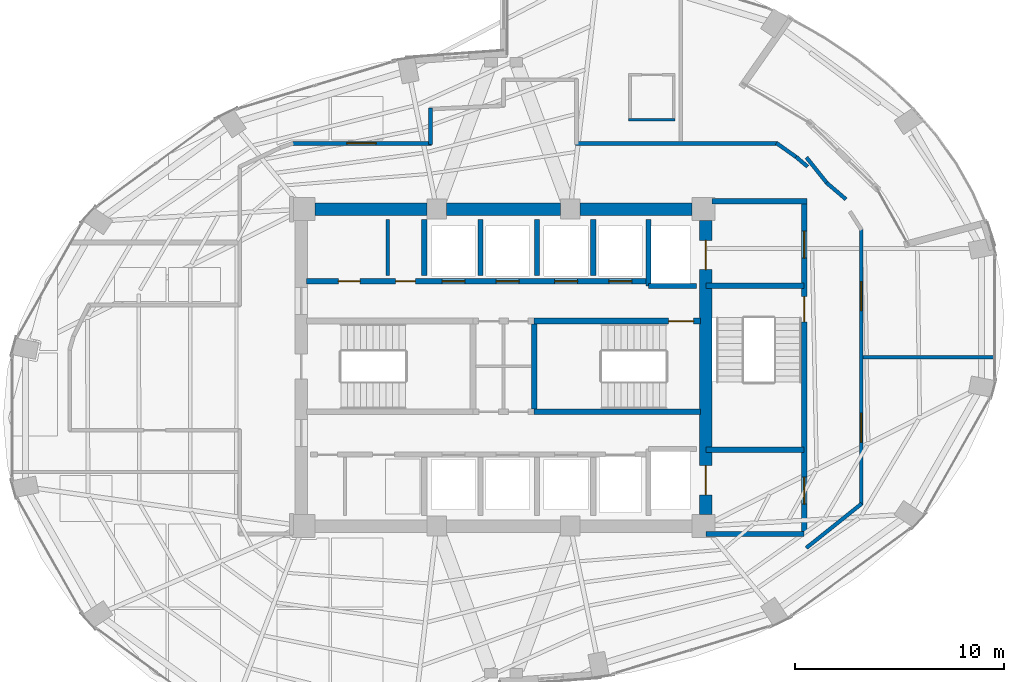
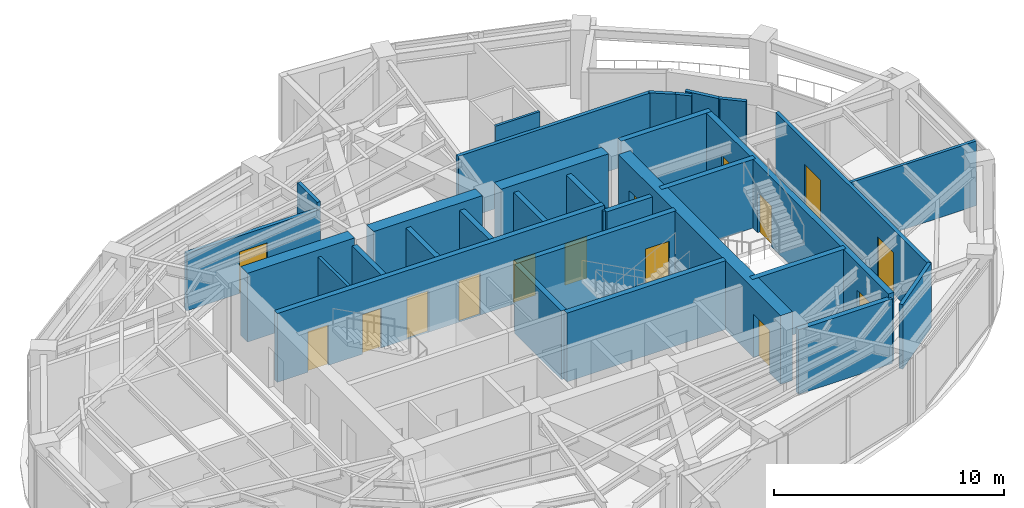
# One storey, part 16 of 19: 31 walls, 15 doors, 15 openings.
"""IFC4 building model written with IfcOpenShell, lengths in metres."""

from ifc_helpers import new_model, si_unit, direction, frame, frame_2d, origin, place, context, subcontext, project, spatial, rectangle, extrude, material, layer, layer_set, type_object, element, fill, save


model = new_model("IFC4")

# Units and contexts
model_context = context("Model", 3, precision=1e-05, world=origin(), true_north=direction((0.0, 1.0)))
body_context = subcontext(model_context, "Body", "Model", "MODEL_VIEW")
ifc_project = project(units=[si_unit("LENGTHUNIT", "METRE"), si_unit("AREAUNIT", "SQUARE_METRE"), si_unit("VOLUMEUNIT", "CUBIC_METRE"), si_unit("PLANEANGLEUNIT", "RADIAN"), si_unit("MASSUNIT", "GRAM", prefix="KILO")], contexts=[model_context])

# Site, building, storey
site_placement = place(None, origin())
site = spatial("IfcSite", under=ifc_project, at=site_placement, CompositionType="ELEMENT")
building_placement = place(site_placement, origin())
building = spatial("IfcBuilding", under=site, at=building_placement, Name="Lazwardi Medical Tower", CompositionType="ELEMENT")
storey_placement = place(building_placement, frame((0.0, 0.0, 163.823974609375)))
storey = spatial("IfcBuildingStorey", under=building, at=storey_placement, Name="L42", CompositionType="ELEMENT", Elevation=163.823974609375)

# Wall, opening, door
ifc_material_1 = material(Name="Fire-rated gypsum board on steel stud", Category="steel")
ifc_layer_1 = layer(ifc_material_1, 0.179931640625)
ifc_layer_set_1 = layer_set([ifc_layer_1], Name="Fire-rated gypsum board on steel stud")
wall_type_1 = type_object("IfcWallType", Name="WL-COR-180", PredefinedType="PARTITIONING", material=ifc_layer_set_1)
wall_1_placement = place(storey_placement, frame((25.842529296875, 38.75, 0.0), z_axis=(0.0, 0.0, 1.0), x_axis=(1.0, 0.0, 0.0)))
wall_1 = element("IfcWall", 1, at=wall_1_placement, inside=storey, type_object=wall_type_1, Name="L42 Corridor partition 6", PredefinedType="PARTITIONING", context=body_context, shape_type="SweptSolid", body=[
    extrude(rectangle(XDim=6.697509765625, YDim=0.179931640625, at=frame_2d((3.3486328125, 0.0))), origin(), (0.0, 0.0, 1.0), 3.052978515625),
])
opening_1_placement = place(wall_1_placement, frame((2.648681640625, 0.0, 0.0)))
opening_1 = element("IfcOpeningElement", 2, at=opening_1_placement, cuts=wall_1, Name="Opening D-L42-016", PredefinedType="OPENING", context=body_context, shape_type="SweptSolid", body=[
    extrude(rectangle(XDim=1.39990234375, YDim=2.199951171875, at=frame_2d((0.699951171875, 1.10009765625))), frame((0.0, 0.099853515625, 0.0), z_axis=(0.0, -1.0, 0.0), x_axis=(1.0, 0.0, 0.0)), (0.0, 0.0, 1.0), 0.199951171875),
])
ifc_material_2 = material(Name="Anti-microbial laminate hospital leaf")
door_type_1 = type_object("IfcDoorType", Name="DR-BED-1400", OperationType="NOTDEFINED", PredefinedType="DOOR", material=ifc_material_2)
door_1_placement = place(opening_1_placement, origin())
door_1 = element("IfcDoor", 3, at=door_1_placement, inside=storey, type_object=door_type_1, Name="L42 Inpatient Ward Door 03", OperationType="SINGLE_SWING_RIGHT", OverallHeight=2.199951171875, OverallWidth=1.39990234375, PredefinedType="DOOR", context=body_context, shape_type="SweptSolid", body=[
    extrude(rectangle(XDim=1.39990234375, YDim=2.199951171875, at=frame_2d((0.699951171875, 1.10009765625))), frame((0.0, 0.02490234375, 0.0), z_axis=(0.0, -1.0, 0.0), x_axis=(1.0, 0.0, 0.0)), (0.0, 0.0, 1.0), 0.050048828125),
])
fill(opening_1, door_1)

# Walls
wall_2_placement = place(storey_placement, frame((32.5, 38.7099609375, 0.0), z_axis=(0.0, 0.0, 1.0), x_axis=(0.0, 1.0, 0.0)))
element("IfcWall", 4, at=wall_2_placement, inside=storey, type_object=wall_type_1, Name="L42 Corridor partition 7", PredefinedType="PARTITIONING", context=body_context, shape_type="SweptSolid", body=[
    extrude(rectangle(XDim=1.729248046875, YDim=0.179931640625, at=frame_2d((0.86474609375, 0.0))), origin(), (0.0, 0.0, 1.0), 3.427978515625),
])
wall_3_placement = place(storey_placement, frame((39.4599609375, 38.75, 0.0), z_axis=(0.0, 0.0, 1.0), x_axis=(1.0, 0.0, 0.0)))
element("IfcWall", 5, at=wall_3_placement, inside=storey, type_object=wall_type_1, Name="L42 Corridor partition 12", PredefinedType="PARTITIONING", context=body_context, shape_type="SweptSolid", body=[
    extrude(rectangle(XDim=9.696044921875, YDim=0.179931640625, at=frame_2d((4.84814453125, 0.0))), origin(), (0.0, 0.0, 1.0), 3.427978515625),
])
wall_4_placement = place(storey_placement, frame((49.08349609375, 38.773193359375, 0.0), z_axis=(0.0, 0.0, 1.0), x_axis=(0.815094383649, -0.579328184835, 0.0)))
element("IfcWall", 6, at=wall_4_placement, inside=storey, type_object=wall_type_1, Name="L42 Corridor partition 13", PredefinedType="PARTITIONING", context=body_context, shape_type="SweptSolid", body=[
    extrude(rectangle(XDim=1.234375, YDim=0.179931640625, at=frame_2d((0.6171875, 0.0))), origin(), (0.0, 0.0, 1.0), 3.427978515625),
])
wall_5_placement = place(storey_placement, frame((50.0263671875, 38.107177734375, 0.0), z_axis=(0.0, 0.0, 1.0), x_axis=(0.762519178552, -0.646965611405, 0.0)))
element("IfcWall", 7, at=wall_5_placement, inside=storey, type_object=wall_type_1, Name="L42 Corridor partition 14", PredefinedType="PARTITIONING", context=body_context, shape_type="SweptSolid", body=[
    extrude(rectangle(XDim=0.726806640625, YDim=0.179931640625, at=frame_2d((0.36328125, 0.0))), origin(), (0.0, 0.0, 1.0), 3.427978515625),
])
wall_6_placement = place(storey_placement, frame((50.52490234375, 38.084716796875, 0.0), z_axis=(0.0, 0.0, 1.0), x_axis=(0.624367263629, -0.781130923794, 0.0)))
element("IfcWall", 8, at=wall_6_placement, inside=storey, type_object=wall_type_1, Name="L42 Corridor partition 15", PredefinedType="PARTITIONING", context=body_context, shape_type="SweptSolid", body=[
    extrude(rectangle(XDim=1.63525390625, YDim=0.179931640625, at=frame_2d((0.817626953125, 0.0))), origin(), (0.0, 0.0, 1.0), 3.427978515625),
])
wall_7_placement = place(storey_placement, frame((51.490478515625, 36.864501953125, 0.0), z_axis=(0.0, 0.0, 1.0), x_axis=(0.762506147444, -0.646980969666, 0.0)))
element("IfcWall", 9, at=wall_7_placement, inside=storey, type_object=wall_type_1, Name="L42 Corridor partition 16", PredefinedType="PARTITIONING", context=body_context, shape_type="SweptSolid", body=[
    extrude(rectangle(XDim=1.221435546875, YDim=0.179931640625, at=frame_2d((0.61083984375, 0.0))), origin(), (0.0, 0.0, 1.0), 3.427978515625),
])

# Wall, openings, doors
wall_8_placement = place(storey_placement, frame((53.14990234375, 34.673828125, 0.0), z_axis=(0.0, 0.0, 1.0), x_axis=(0.0, -1.0, 0.0)))
wall_8 = element("IfcWall", 10, at=wall_8_placement, inside=storey, type_object=wall_type_1, Name="L42 Corridor partition 18", PredefinedType="PARTITIONING", context=body_context, shape_type="SweptSolid", body=[
    extrude(rectangle(XDim=13.258056640625, YDim=0.179931640625, at=frame_2d((6.62890625, 0.0))), origin(), (0.0, 0.0, 1.0), 3.427978515625),
])
opening_2_placement = place(wall_8_placement, frame((8.85693359375, 0.0, 0.0)))
opening_2 = element("IfcOpeningElement", 11, at=opening_2_placement, cuts=wall_8, Name="Opening D-L42-014", PredefinedType="OPENING", context=body_context, shape_type="SweptSolid", body=[
    extrude(rectangle(XDim=1.39990234375, YDim=2.199951171875, at=frame_2d((0.699951171875, 1.10009765625))), frame((0.0, 0.099853515625, 0.0), z_axis=(0.0, -1.0, 0.0), x_axis=(1.0, 0.0, 0.0)), (0.0, 0.0, 1.0), 0.199951171875),
])
opening_3_placement = place(wall_8_placement, frame((2.5458984375, 0.0, 0.0)))
opening_3 = element("IfcOpeningElement", 12, at=opening_3_placement, cuts=wall_8, Name="Opening D-L42-015", PredefinedType="OPENING", context=body_context, shape_type="SweptSolid", body=[
    extrude(rectangle(XDim=1.39990234375, YDim=2.199951171875, at=frame_2d((0.699951171875, 1.10009765625))), frame((0.0, 0.099853515625, 0.0), z_axis=(0.0, -1.0, 0.0), x_axis=(1.0, 0.0, 0.0)), (0.0, 0.0, 1.0), 0.199951171875),
])
door_2_placement = place(opening_2_placement, origin())
door_2 = element("IfcDoor", 13, at=door_2_placement, inside=storey, type_object=door_type_1, Name="L42 Sky Garden Lounge Door 01", OperationType="SINGLE_SWING_LEFT", OverallHeight=2.199951171875, OverallWidth=1.39990234375, PredefinedType="DOOR", context=body_context, shape_type="SweptSolid", body=[
    extrude(rectangle(XDim=1.39990234375, YDim=2.199951171875, at=frame_2d((0.699951171875, 1.10009765625))), frame((0.0, 0.02490234375, 0.0), z_axis=(0.0, -1.0, 0.0), x_axis=(1.0, 0.0, 0.0)), (0.0, 0.0, 1.0), 0.050048828125),
])
fill(opening_2, door_2)
door_3_placement = place(opening_3_placement, origin())
door_3 = element("IfcDoor", 14, at=door_3_placement, inside=storey, type_object=door_type_1, Name="L42 Patient Day Lounge Door 02", OperationType="SINGLE_SWING_RIGHT", OverallHeight=2.199951171875, OverallWidth=1.39990234375, PredefinedType="DOOR", context=body_context, shape_type="SweptSolid", body=[
    extrude(rectangle(XDim=1.39990234375, YDim=2.199951171875, at=frame_2d((0.699951171875, 1.10009765625))), frame((0.0, 0.02490234375, 0.0), z_axis=(0.0, -1.0, 0.0), x_axis=(1.0, 0.0, 0.0)), (0.0, 0.0, 1.0), 0.050048828125),
])
fill(opening_3, door_3)

# Wall
wall_9_placement = place(storey_placement, frame((53.181396484375, 21.480712890625, 0.0), z_axis=(0.0, 0.0, 1.0), x_axis=(-0.781420737726, -0.624004511724, 0.0)))
element("IfcWall", 15, at=wall_9_placement, inside=storey, type_object=wall_type_1, Name="L42 Corridor partition 19", PredefinedType="PARTITIONING", context=body_context, shape_type="SweptSolid", body=[
    extrude(rectangle(XDim=3.407470703125, YDim=0.179931640625, at=frame_2d((1.70361328125, 0.0))), origin(), (0.0, 0.0, 1.0), 3.427978515625),
])

# Wall, openings, doors
ifc_material_3 = material(Name="Concrete C60/75", Category="concrete")
ifc_layer_2 = layer(ifc_material_3, 0.60009765625)
ifc_layer_set_2 = layer_set([ifc_layer_2], Name="Concrete C60/75")
wall_type_2 = type_object("IfcWallType", Name="WL-CORE-600", PredefinedType="SHEAR", material=ifc_layer_set_2)
wall_10_placement = place(storey_placement, frame((45.699951171875, 20.949951171875, 0.0), z_axis=(0.0, 0.0, 1.0), x_axis=(0.0, 1.0, 0.0)))
wall_10 = element("IfcWall", 16, at=wall_10_placement, inside=storey, type_object=wall_type_2, Name="Core wall CW-S3 east L42", PredefinedType="SHEAR", context=body_context, shape_type="SweptSolid", body=[
    extrude(rectangle(XDim=14.10009765625, YDim=0.60009765625, at=frame_2d((7.050048828125, 0.0))), origin(), (0.0, 0.0, 1.0), 3.64794921875),
])
opening_4_placement = place(wall_10_placement, frame((11.75, 0.0, 0.0)))
opening_4 = element("IfcOpeningElement", 17, at=opening_4_placement, cuts=wall_10, Name="Opening LD-L42-001", PredefinedType="OPENING", context=body_context, shape_type="SweptSolid", body=[
    extrude(rectangle(XDim=1.39990234375, YDim=2.300048828125, at=frame_2d((0.699951171875, 1.14990234375))), frame((0.0, 0.31005859375, 0.0), z_axis=(0.0, -1.0, 0.0), x_axis=(1.0, 0.0, 0.0)), (0.0, 0.0, 1.0), 0.6201171875),
])
opening_5_placement = place(wall_10_placement, frame((0.949951171875, 0.0, 0.0)))
opening_5 = element("IfcOpeningElement", 18, at=opening_5_placement, cuts=wall_10, Name="Opening LD-L42-002", PredefinedType="OPENING", context=body_context, shape_type="SweptSolid", body=[
    extrude(rectangle(XDim=1.39990234375, YDim=2.300048828125, at=frame_2d((0.699951171875, 1.14990234375))), frame((0.0, 0.31005859375, 0.0), z_axis=(0.0, -1.0, 0.0), x_axis=(1.0, 0.0, 0.0)), (0.0, 0.0, 1.0), 0.6201171875),
])
ifc_material_4 = material(Name="Brushed stainless steel bed-lift landing door", Category="steel")
door_type_2 = type_object("IfcDoorType", Name="DR-LFT-1400", OperationType="NOTDEFINED", PredefinedType="DOOR", material=ifc_material_4)
door_4_placement = place(opening_4_placement, origin())
door_4 = element("IfcDoor", 19, at=door_4_placement, inside=storey, type_object=door_type_2, Name="L42 Lift Landing Door FL-01", OperationType="SLIDING_TO_LEFT", OverallHeight=2.300048828125, OverallWidth=1.39990234375, PredefinedType="DOOR", context=body_context, shape_type="SweptSolid", body=[
    extrude(rectangle(XDim=1.39990234375, YDim=2.300048828125, at=frame_2d((0.699951171875, 1.14990234375))), frame((0.0, 0.02490234375, 0.0), z_axis=(0.0, -1.0, 0.0), x_axis=(1.0, 0.0, 0.0)), (0.0, 0.0, 1.0), 0.050048828125),
])
fill(opening_4, door_4)
door_5_placement = place(opening_5_placement, origin())
door_5 = element("IfcDoor", 20, at=door_5_placement, inside=storey, type_object=door_type_2, Name="L42 Lift Landing Door FL-02", OperationType="SLIDING_TO_LEFT", OverallHeight=2.300048828125, OverallWidth=1.39990234375, PredefinedType="DOOR", context=body_context, shape_type="SweptSolid", body=[
    extrude(rectangle(XDim=1.39990234375, YDim=2.300048828125, at=frame_2d((0.699951171875, 1.14990234375))), frame((0.0, 0.02490234375, 0.0), z_axis=(0.0, -1.0, 0.0), x_axis=(1.0, 0.0, 0.0)), (0.0, 0.0, 1.0), 0.050048828125),
])
fill(opening_5, door_5)

# Walls
wall_11_placement = place(storey_placement, frame((26.949951171875, 35.60009765625, 0.0), z_axis=(0.0, 0.0, 1.0), x_axis=(1.0, 0.0, 0.0)))
element("IfcWall", 21, at=wall_11_placement, inside=storey, type_object=wall_type_2, Name="Core wall CW-S3 N1 L42", PredefinedType="SHEAR", context=body_context, shape_type="SweptSolid", body=[
    extrude(rectangle(XDim=5.375, YDim=0.60009765625, at=frame_2d((2.6875, 0.0))), origin(), (0.0, 0.0, 1.0), 3.64794921875),
])
wall_12_placement = place(storey_placement, frame((33.27490234375, 35.60009765625, 0.0), z_axis=(0.0, 0.0, 1.0), x_axis=(1.0, 0.0, 0.0)))
element("IfcWall", 22, at=wall_12_placement, inside=storey, type_object=wall_type_2, Name="Core wall CW-S3 N2 L42", PredefinedType="SHEAR", context=body_context, shape_type="SweptSolid", body=[
    extrude(rectangle(XDim=5.4501953125, YDim=0.60009765625, at=frame_2d((2.72509765625, 0.0))), origin(), (0.0, 0.0, 1.0), 3.64794921875),
])
wall_13_placement = place(storey_placement, frame((39.675048828125, 35.60009765625, 0.0), z_axis=(0.0, 0.0, 1.0), x_axis=(1.0, 0.0, 0.0)))
element("IfcWall", 23, at=wall_13_placement, inside=storey, type_object=wall_type_2, Name="Core wall CW-S3 N3 L42", PredefinedType="SHEAR", context=body_context, shape_type="SweptSolid", body=[
    extrude(rectangle(XDim=5.375, YDim=0.60009765625, at=frame_2d((2.6875, 0.0))), origin(), (0.0, 0.0, 1.0), 3.64794921875),
])
ifc_material_5 = material(Name="Moisture-resistant gypsum board partition")
ifc_layer_3 = layer(ifc_material_5, 0.125)
ifc_layer_set_3 = layer_set([ifc_layer_3], Name="Moisture-resistant gypsum board partition")
wall_type_3 = type_object("IfcWallType", Name="WL-ENS-125", PredefinedType="PARTITIONING", material=ifc_layer_set_3)
wall_14_placement = place(storey_placement, frame((42.0048828125, 39.889892578125, 0.0), z_axis=(0.0, 0.0, 1.0), x_axis=(1.0, 0.0, 0.0)))
element("IfcWall", 24, at=wall_14_placement, inside=storey, type_object=wall_type_3, Name="L42 En-suite wall 3S", PredefinedType="PARTITIONING", context=body_context, shape_type="SweptSolid", body=[
    extrude(rectangle(XDim=2.22021484375, YDim=0.125, at=frame_2d((1.110107421875, 0.0))), origin(), (0.0, 0.0, 1.0), 3.427978515625),
])
ifc_material_6 = material(Name="Autoclaved aerated concrete blockwork", Category="masonry")
ifc_layer_4 = layer(ifc_material_6, 0.25)
ifc_layer_set_4 = layer_set([ifc_layer_4], Name="Autoclaved aerated concrete blockwork")
wall_type_4 = type_object("IfcWallType", Name="WL-SHAFT-250", PredefinedType="SOLIDWALL", material=ifc_layer_set_4)
wall_15_placement = place(storey_placement, frame((42.949951171875, 31.919921875, 0.0), z_axis=(0.0, 0.0, 1.0), x_axis=(0.0, 1.0, 0.0)))
element("IfcWall", 25, at=wall_15_placement, inside=storey, type_object=wall_type_4, Name="L42 FL-01 West shaft wall", PredefinedType="SOLIDWALL", context=body_context, shape_type="SweptSolid", body=[
    extrude(rectangle(XDim=3.18017578125, YDim=0.25, at=frame_2d((1.590087890625, 0.0))), origin(), (0.0, 0.0, 1.0), 3.427978515625),
])
wall_16_placement = place(storey_placement, frame((42.949951171875, 31.919921875, 0.0), z_axis=(0.0, 0.0, 1.0), x_axis=(1.0, 0.0, 0.0)))
element("IfcWall", 26, at=wall_16_placement, inside=storey, type_object=wall_type_4, Name="L42 FL-01 South shaft wall", PredefinedType="SOLIDWALL", context=body_context, shape_type="SweptSolid", body=[
    extrude(rectangle(XDim=2.300048828125, YDim=0.25, at=frame_2d((1.14990234375, 0.0))), origin(), (0.0, 0.0, 1.0), 3.427978515625),
])
for number, where, z_axis, x_axis, name in (
    (27, (32.199951171875, 32.419921875, 0.0), (0.0, 0.0, 1.0), (0.0, 1.0, 0.0), "L42 North hoistway divider"),
    (28, (34.89990234375, 32.419921875, 0.0), (0.0, 0.0, 1.0), (0.0, 1.0, 0.0), "L42 North hoistway divider"),
    (29, (37.60009765625, 32.419921875, 0.0), (0.0, 0.0, 1.0), (0.0, 1.0, 0.0), "L42 North hoistway divider"),
    (30, (40.300048828125, 32.419921875, 0.0), (0.0, 0.0, 1.0), (0.0, 1.0, 0.0), "L42 North hoistway divider"),
):
    element("IfcWall", number, at=place(storey_placement, frame(where, z_axis=z_axis, x_axis=x_axis)), inside=storey, type_object=wall_type_4, Name=name, PredefinedType="SOLIDWALL", context=body_context, shape_type="SweptSolid", body=[
        extrude(rectangle(XDim=2.68017578125, YDim=0.25, at=frame_2d((1.340087890625, 0.0))), origin(), (0.0, 0.0, 1.0), 3.427978515625),
    ])
wall_17_placement = place(storey_placement, frame((45.699951171875, 20.02001953125, 0.0), z_axis=(0.0, 0.0, 1.0), x_axis=(1.0, 0.0, 0.0)))
element("IfcWall", 31, at=wall_17_placement, inside=storey, type_object=wall_type_4, Name="L42 FFL-S South wall", PredefinedType="SOLIDWALL", context=body_context, shape_type="SweptSolid", body=[
    extrude(rectangle(XDim=4.715087890625, YDim=0.25, at=frame_2d((2.357421875, 0.0))), origin(), (0.0, 0.0, 1.0), 3.427978515625),
])

# Wall, opening, door
ifc_material_7 = material(Name="Concrete C50/60", Category="concrete")
ifc_layer_5 = layer(ifc_material_7, 0.27001953125)
ifc_layer_set_5 = layer_set([ifc_layer_5], Name="Concrete C50/60")
wall_type_5 = type_object("IfcWallType", Name="WL-STR-250", PredefinedType="SHEAR", material=ifc_layer_set_5)
wall_18_placement = place(storey_placement, frame((37.465087890625, 30.235107421875, 0.0), z_axis=(0.0, 0.0, 1.0), x_axis=(1.0, 0.0, 0.0)))
wall_18 = element("IfcWall", 32, at=wall_18_placement, inside=storey, type_object=wall_type_5, Name="L42 ST2 North shear shaft wall SW-S1", PredefinedType="SHEAR", context=body_context, shape_type="SweptSolid", body=[
    extrude(rectangle(XDim=7.98486328125, YDim=0.27001953125, at=frame_2d((3.992431640625, 0.0))), origin(), (0.0, 0.0, 1.0), 3.64794921875),
])
opening_6_placement = place(wall_18_placement, frame((6.455078125, 0.0, 0.0)))
opening_6 = element("IfcOpeningElement", 33, at=opening_6_placement, cuts=wall_18, Name="Opening D-L42-019", PredefinedType="OPENING", context=body_context, shape_type="SweptSolid", body=[
    extrude(rectangle(XDim=1.199951171875, YDim=2.14990234375, at=frame_2d((0.60009765625, 1.074951171875))), frame((0.0, 0.14501953125, 0.0), z_axis=(0.0, -1.0, 0.0), x_axis=(1.0, 0.0, 0.0)), (0.0, 0.0, 1.0), 0.2900390625),
])
ifc_material_8 = material(Name="Fire-rated steel leaf and frame", Category="steel")
door_type_3 = type_object("IfcDoorType", Name="DR-STR-1200", OperationType="NOTDEFINED", PredefinedType="DOOR", material=ifc_material_8)
door_6_placement = place(opening_6_placement, origin())
door_6 = element("IfcDoor", 34, at=door_6_placement, inside=storey, type_object=door_type_3, Name="L42 Exit Stair ST2 Door", OperationType="SINGLE_SWING_LEFT", OverallHeight=2.14990234375, OverallWidth=1.199951171875, PredefinedType="DOOR", context=body_context, shape_type="SweptSolid", body=[
    extrude(rectangle(XDim=1.199951171875, YDim=2.14990234375, at=frame_2d((0.60009765625, 1.074951171875))), frame((0.0, 0.02490234375, 0.0), z_axis=(0.0, -1.0, 0.0), x_axis=(1.0, 0.0, 0.0)), (0.0, 0.0, 1.0), 0.050048828125),
])
fill(opening_6, door_6)

# Walls
wall_19_placement = place(storey_placement, frame((37.465087890625, 25.885009765625, 0.0), z_axis=(0.0, 0.0, 1.0), x_axis=(1.0, 0.0, 0.0)))
element("IfcWall", 35, at=wall_19_placement, inside=storey, type_object=wall_type_5, Name="L42 ST2 South shear shaft wall SW-S1", PredefinedType="SHEAR", context=body_context, shape_type="SweptSolid", body=[
    extrude(rectangle(XDim=7.98486328125, YDim=0.27001953125, at=frame_2d((3.992431640625, 0.0))), origin(), (0.0, 0.0, 1.0), 3.64794921875),
])
wall_20_placement = place(storey_placement, frame((37.465087890625, 26.02001953125, 0.0), z_axis=(0.0, 0.0, 1.0), x_axis=(0.0, 1.0, 0.0)))
element("IfcWall", 36, at=wall_20_placement, inside=storey, type_object=wall_type_5, Name="L42 ST2 West shear shaft wall SW-S1", PredefinedType="SHEAR", context=body_context, shape_type="SweptSolid", body=[
    extrude(rectangle(XDim=4.080078125, YDim=0.27001953125, at=frame_2d((2.0400390625, 0.0))), origin(), (0.0, 0.0, 1.0), 3.64794921875),
])

# Wall, openings, doors
wall_21_placement = place(storey_placement, frame((26.550048828125, 32.14990234375, 0.0), z_axis=(0.0, 0.0, 1.0), x_axis=(1.0, 0.0, 0.0)))
wall_21 = element("IfcWall", 37, at=wall_21_placement, inside=storey, type_object=wall_type_5, Name="L42 North lift bank shear wall SW-S1", PredefinedType="SHEAR", context=body_context, shape_type="SweptSolid", body=[
    extrude(rectangle(XDim=16.39990234375, YDim=0.27001953125, at=frame_2d((8.199951171875, 0.0))), origin(), (0.0, 0.0, 1.0), 3.64794921875),
])
opening_7_placement = place(wall_21_placement, frame((1.52490234375, 0.0, 0.0)))
opening_7 = element("IfcOpeningElement", 38, at=opening_7_placement, cuts=wall_21, Name="Opening D-L42-006", PredefinedType="OPENING", context=body_context, shape_type="SweptSolid", body=[
    extrude(rectangle(XDim=1.050048828125, YDim=2.14990234375, at=frame_2d((0.52490234375, 1.074951171875))), frame((0.0, 0.14501953125, 0.0), z_axis=(0.0, -1.0, 0.0), x_axis=(1.0, 0.0, 0.0)), (0.0, 0.0, 1.0), 0.2900390625),
])
opening_8_placement = place(wall_21_placement, frame((4.27490234375, 0.0, 0.0)))
opening_8 = element("IfcOpeningElement", 39, at=opening_8_placement, cuts=wall_21, Name="Opening D-L42-007", PredefinedType="OPENING", context=body_context, shape_type="SweptSolid", body=[
    extrude(rectangle(XDim=0.949951171875, YDim=2.10009765625, at=frame_2d((0.47509765625, 1.050048828125))), frame((0.0, 0.14501953125, 0.0), z_axis=(0.0, -1.0, 0.0), x_axis=(1.0, 0.0, 0.0)), (0.0, 0.0, 1.0), 0.2900390625),
])
opening_9_placement = place(wall_21_placement, frame((6.5, 0.0, 0.0)))
opening_9 = element("IfcOpeningElement", 40, at=opening_9_placement, cuts=wall_21, Name="Opening LD-L42-004", PredefinedType="OPENING", context=body_context, shape_type="SweptSolid", body=[
    extrude(rectangle(XDim=1.10009765625, YDim=2.199951171875, at=frame_2d((0.550048828125, 1.10009765625))), frame((0.0, 0.14501953125, 0.0), z_axis=(0.0, -1.0, 0.0), x_axis=(1.0, 0.0, 0.0)), (0.0, 0.0, 1.0), 0.2900390625),
])
opening_10_placement = place(wall_21_placement, frame((9.10009765625, 0.0, 0.0)))
opening_10 = element("IfcOpeningElement", 41, at=opening_10_placement, cuts=wall_21, Name="Opening LD-L42-005", PredefinedType="OPENING", context=body_context, shape_type="SweptSolid", body=[
    extrude(rectangle(XDim=1.10009765625, YDim=2.199951171875, at=frame_2d((0.550048828125, 1.10009765625))), frame((0.0, 0.14501953125, 0.0), z_axis=(0.0, -1.0, 0.0), x_axis=(1.0, 0.0, 0.0)), (0.0, 0.0, 1.0), 0.2900390625),
])
opening_11_placement = place(wall_21_placement, frame((11.89990234375, 0.0, 0.0)))
opening_11 = element("IfcOpeningElement", 42, at=opening_11_placement, cuts=wall_21, Name="Opening LD-L42-008", PredefinedType="OPENING", context=body_context, shape_type="SweptSolid", body=[
    extrude(rectangle(XDim=1.10009765625, YDim=2.199951171875, at=frame_2d((0.550048828125, 1.10009765625))), frame((0.0, 0.14501953125, 0.0), z_axis=(0.0, -1.0, 0.0), x_axis=(1.0, 0.0, 0.0)), (0.0, 0.0, 1.0), 0.2900390625),
])
opening_12_placement = place(wall_21_placement, frame((14.5, 0.0, 0.0)))
opening_12 = element("IfcOpeningElement", 43, at=opening_12_placement, cuts=wall_21, Name="Opening LD-L42-009", PredefinedType="OPENING", context=body_context, shape_type="SweptSolid", body=[
    extrude(rectangle(XDim=1.10009765625, YDim=2.199951171875, at=frame_2d((0.550048828125, 1.10009765625))), frame((0.0, 0.14501953125, 0.0), z_axis=(0.0, -1.0, 0.0), x_axis=(1.0, 0.0, 0.0)), (0.0, 0.0, 1.0), 0.2900390625),
])
door_type_4 = type_object("IfcDoorType", Name="DR-CLN-1050", OperationType="NOTDEFINED", PredefinedType="DOOR", material=ifc_material_2)
door_7_placement = place(opening_7_placement, origin())
door_7 = element("IfcDoor", 44, at=door_7_placement, inside=storey, type_object=door_type_4, Name="L42 Telemedicine Door", OperationType="SINGLE_SWING_RIGHT", OverallHeight=2.14990234375, OverallWidth=1.050048828125, PredefinedType="DOOR", context=body_context, shape_type="SweptSolid", body=[
    extrude(rectangle(XDim=1.050048828125, YDim=2.14990234375, at=frame_2d((0.52490234375, 1.074951171875))), frame((0.0, 0.02490234375, 0.0), z_axis=(0.0, -1.0, 0.0), x_axis=(1.0, 0.0, 0.0)), (0.0, 0.0, 1.0), 0.050048828125),
])
fill(opening_7, door_7)
ifc_material_9 = material(Name="Moisture-resistant laminate door leaf")
door_type_5 = type_object("IfcDoorType", Name="DR-ENS-950", OperationType="NOTDEFINED", PredefinedType="DOOR", material=ifc_material_9)
door_8_placement = place(opening_8_placement, origin())
door_8 = element("IfcDoor", 45, at=door_8_placement, inside=storey, type_object=door_type_5, Name="L42 Staff WC Door", OperationType="SINGLE_SWING_LEFT", OverallHeight=2.10009765625, OverallWidth=0.949951171875, PredefinedType="DOOR", context=body_context, shape_type="SweptSolid", body=[
    extrude(rectangle(XDim=0.949951171875, YDim=2.10009765625, at=frame_2d((0.47509765625, 1.050048828125))), frame((0.0, 0.02490234375, 0.0), z_axis=(0.0, -1.0, 0.0), x_axis=(1.0, 0.0, 0.0)), (0.0, 0.0, 1.0), 0.050048828125),
])
fill(opening_8, door_8)
ifc_material_10 = material(Name="Brushed bronze stainless steel landing door", Category="steel")
door_type_6 = type_object("IfcDoorType", Name="DR-LFT-1100", OperationType="NOTDEFINED", PredefinedType="DOOR", material=ifc_material_10)
door_9_placement = place(opening_9_placement, origin())
door_9 = element("IfcDoor", 46, at=door_9_placement, inside=storey, type_object=door_type_6, Name="L42 Lift Landing Door PL-05", OperationType="SLIDING_TO_LEFT", OverallHeight=2.199951171875, OverallWidth=1.10009765625, PredefinedType="DOOR", context=body_context, shape_type="SweptSolid", body=[
    extrude(rectangle(XDim=1.10009765625, YDim=2.199951171875, at=frame_2d((0.550048828125, 1.10009765625))), frame((0.0, 0.02490234375, 0.0), z_axis=(0.0, -1.0, 0.0), x_axis=(1.0, 0.0, 0.0)), (0.0, 0.0, 1.0), 0.050048828125),
])
fill(opening_9, door_9)
door_10_placement = place(opening_10_placement, origin())
door_10 = element("IfcDoor", 47, at=door_10_placement, inside=storey, type_object=door_type_6, Name="L42 Lift Landing Door PL-06", OperationType="SLIDING_TO_LEFT", OverallHeight=2.199951171875, OverallWidth=1.10009765625, PredefinedType="DOOR", context=body_context, shape_type="SweptSolid", body=[
    extrude(rectangle(XDim=1.10009765625, YDim=2.199951171875, at=frame_2d((0.550048828125, 1.10009765625))), frame((0.0, 0.02490234375, 0.0), z_axis=(0.0, -1.0, 0.0), x_axis=(1.0, 0.0, 0.0)), (0.0, 0.0, 1.0), 0.050048828125),
])
fill(opening_10, door_10)
door_11_placement = place(opening_11_placement, origin())
door_11 = element("IfcDoor", 48, at=door_11_placement, inside=storey, type_object=door_type_6, Name="L42 Lift Landing Door PL-09", OperationType="SLIDING_TO_LEFT", OverallHeight=2.199951171875, OverallWidth=1.10009765625, PredefinedType="DOOR", context=body_context, shape_type="SweptSolid", body=[
    extrude(rectangle(XDim=1.10009765625, YDim=2.199951171875, at=frame_2d((0.550048828125, 1.10009765625))), frame((0.0, 0.02490234375, 0.0), z_axis=(0.0, -1.0, 0.0), x_axis=(1.0, 0.0, 0.0)), (0.0, 0.0, 1.0), 0.050048828125),
])
fill(opening_11, door_11)
door_12_placement = place(opening_12_placement, origin())
door_12 = element("IfcDoor", 49, at=door_12_placement, inside=storey, type_object=door_type_6, Name="L42 Lift Landing Door PL-10", OperationType="SLIDING_TO_LEFT", OverallHeight=2.199951171875, OverallWidth=1.10009765625, PredefinedType="DOOR", context=body_context, shape_type="SweptSolid", body=[
    extrude(rectangle(XDim=1.10009765625, YDim=2.199951171875, at=frame_2d((0.550048828125, 1.10009765625))), frame((0.0, 0.02490234375, 0.0), z_axis=(0.0, -1.0, 0.0), x_axis=(1.0, 0.0, 0.0)), (0.0, 0.0, 1.0), 0.050048828125),
])
fill(opening_12, door_12)

wall_22_placement = place(storey_placement, frame((50.4150390625, 35.844970703125, 0.0), z_axis=(0.0, 0.0, 1.0), x_axis=(0.0, -1.0, 0.0)))
wall_22 = element("IfcWall", 50, at=wall_22_placement, inside=storey, type_object=wall_type_5, Name="L42 East ST3 & FFL shear wall SW-S1", PredefinedType="SHEAR", context=body_context, shape_type="SweptSolid", body=[
    extrude(rectangle(XDim=15.824951171875, YDim=0.27001953125, at=frame_2d((7.91259765625, 0.0))), origin(), (0.0, 0.0, 1.0), 3.64794921875),
])
opening_13_placement = place(wall_22_placement, frame((4.445068359375, 0.0, 0.0)))
opening_13 = element("IfcOpeningElement", 51, at=opening_13_placement, cuts=wall_22, Name="Opening D-L42-020", PredefinedType="OPENING", context=body_context, shape_type="SweptSolid", body=[
    extrude(rectangle(XDim=1.199951171875, YDim=2.14990234375, at=frame_2d((0.60009765625, 1.074951171875))), frame((0.0, 0.14501953125, 0.0), z_axis=(0.0, -1.0, 0.0), x_axis=(1.0, 0.0, 0.0)), (0.0, 0.0, 1.0), 0.2900390625),
])
opening_14_placement = place(wall_22_placement, frame((1.294921875, 0.0, 0.0)))
opening_14 = element("IfcOpeningElement", 52, at=opening_14_placement, cuts=wall_22, Name="Opening D-L42-010", PredefinedType="OPENING", context=body_context, shape_type="SweptSolid", body=[
    extrude(rectangle(XDim=1.300048828125, YDim=2.199951171875, at=frame_2d((0.64990234375, 1.10009765625))), frame((0.0, 0.14501953125, 0.0), z_axis=(0.0, -1.0, 0.0), x_axis=(1.0, 0.0, 0.0)), (0.0, 0.0, 1.0), 0.2900390625),
])
opening_15_placement = place(wall_22_placement, frame((13.094970703125, 0.0, 0.0)))
opening_15 = element("IfcOpeningElement", 53, at=opening_15_placement, cuts=wall_22, Name="Opening D-L42-011", PredefinedType="OPENING", context=body_context, shape_type="SweptSolid", body=[
    extrude(rectangle(XDim=1.300048828125, YDim=2.199951171875, at=frame_2d((0.64990234375, 1.10009765625))), frame((0.0, 0.14501953125, 0.0), z_axis=(0.0, -1.0, 0.0), x_axis=(1.0, 0.0, 0.0)), (0.0, 0.0, 1.0), 0.2900390625),
])
door_type_7 = type_object("IfcDoorType", Name="DR-FFL-1300", OperationType="NOTDEFINED", PredefinedType="DOOR", material=ifc_material_8)
door_13_placement = place(opening_14_placement, origin())
door_13 = element("IfcDoor", 54, at=door_13_placement, inside=storey, type_object=door_type_7, Name="L42 Fire-Fighting Lobby North Door", OperationType="SINGLE_SWING_LEFT", OverallHeight=2.199951171875, OverallWidth=1.300048828125, PredefinedType="DOOR", context=body_context, shape_type="SweptSolid", body=[
    extrude(rectangle(XDim=1.300048828125, YDim=2.199951171875, at=frame_2d((0.64990234375, 1.10009765625))), frame((0.0, 0.02490234375, 0.0), z_axis=(0.0, -1.0, 0.0), x_axis=(1.0, 0.0, 0.0)), (0.0, 0.0, 1.0), 0.050048828125),
])
fill(opening_14, door_13)
door_14_placement = place(opening_15_placement, origin())
door_14 = element("IfcDoor", 55, at=door_14_placement, inside=storey, type_object=door_type_7, Name="L42 Fire-Fighting Lobby South Door", OperationType="SINGLE_SWING_RIGHT", OverallHeight=2.199951171875, OverallWidth=1.300048828125, PredefinedType="DOOR", context=body_context, shape_type="SweptSolid", body=[
    extrude(rectangle(XDim=1.300048828125, YDim=2.199951171875, at=frame_2d((0.64990234375, 1.10009765625))), frame((0.0, 0.02490234375, 0.0), z_axis=(0.0, -1.0, 0.0), x_axis=(1.0, 0.0, 0.0)), (0.0, 0.0, 1.0), 0.050048828125),
])
fill(opening_15, door_14)
door_15_placement = place(opening_13_placement, origin())
door_15 = element("IfcDoor", 56, at=door_15_placement, inside=storey, type_object=door_type_3, Name="L42 Exit Stair ST3 Door", OperationType="SINGLE_SWING_RIGHT", OverallHeight=2.14990234375, OverallWidth=1.199951171875, PredefinedType="DOOR", context=body_context, shape_type="SweptSolid", body=[
    extrude(rectangle(XDim=1.199951171875, YDim=2.14990234375, at=frame_2d((0.60009765625, 1.074951171875))), frame((0.0, 0.02490234375, 0.0), z_axis=(0.0, -1.0, 0.0), x_axis=(1.0, 0.0, 0.0)), (0.0, 0.0, 1.0), 0.050048828125),
])
fill(opening_13, door_15)

# Walls
wall_23_placement = place(storey_placement, frame((46.0, 35.97998046875, 0.0), z_axis=(0.0, 0.0, 1.0), x_axis=(1.0, 0.0, 0.0)))
element("IfcWall", 57, at=wall_23_placement, inside=storey, type_object=wall_type_5, Name="L42 FFL-N North shear wall SW-S1", PredefinedType="SHEAR", context=body_context, shape_type="SweptSolid", body=[
    extrude(rectangle(XDim=4.550048828125, YDim=0.27001953125, at=frame_2d((2.27490234375, 0.0))), origin(), (0.0, 0.0, 1.0), 3.64794921875),
])
for number, where, z_axis, x_axis, name in (
    (58, (45.699951171875, 31.93505859375, 0.0), (0.0, 0.0, 1.0), (1.0, 0.0, 0.0), "L42 ST3 North shear shaft wall SW-S1"),
    (59, (45.699951171875, 24.06494140625, 0.0), (0.0, 0.0, 1.0), (1.0, 0.0, 0.0), "L42 ST3 South shear shaft wall SW-S1"),
):
    element("IfcWall", number, at=place(storey_placement, frame(where, z_axis=z_axis, x_axis=x_axis)), inside=storey, type_object=wall_type_5, Name=name, PredefinedType="SHEAR", context=body_context, shape_type="SweptSolid", body=[
        extrude(rectangle(XDim=4.715087890625, YDim=0.27001953125, at=frame_2d((2.357421875, 0.0))), origin(), (0.0, 0.0, 1.0), 3.64794921875),
    ])
ifc_material_11 = material(Name="Acoustic gypsum board partition")
ifc_layer_6 = layer(ifc_material_11, 0.14990234375)
ifc_layer_set_6 = layer_set([ifc_layer_6], Name="Acoustic gypsum board partition")
wall_type_6 = type_object("IfcWallType", Name="WL-WRD-150", PredefinedType="PARTITIONING", material=ifc_layer_set_6)
wall_24_placement = place(storey_placement, frame((30.449951171875, 32.419921875, 0.0), z_axis=(0.0, 0.0, 1.0), x_axis=(0.0, 1.0, 0.0)))
element("IfcWall", 60, at=wall_24_placement, inside=storey, type_object=wall_type_6, Name="L42 Freed bay N split 2", PredefinedType="PARTITIONING", context=body_context, shape_type="SweptSolid", body=[
    extrude(rectangle(XDim=2.68017578125, YDim=0.14990234375, at=frame_2d((1.340087890625, 0.0))), origin(), (0.0, 0.0, 1.0), 3.427978515625),
])
wall_25_placement = place(storey_placement, frame((53.239990234375, 28.5, 0.0), z_axis=(0.0, 0.0, 1.0), x_axis=(1.0, 0.0, 0.0)))
element("IfcWall", 61, at=wall_25_placement, inside=storey, type_object=wall_type_6, Name="L42 Room partition 3", PredefinedType="PARTITIONING", context=body_context, shape_type="SweptSolid", body=[
    extrude(rectangle(XDim=6.30712890625, YDim=0.14990234375, at=frame_2d((3.153564453125, 0.0))), origin(), (0.0, 0.0, 1.0), 3.427978515625),
])

save(model, "model.ifc")
